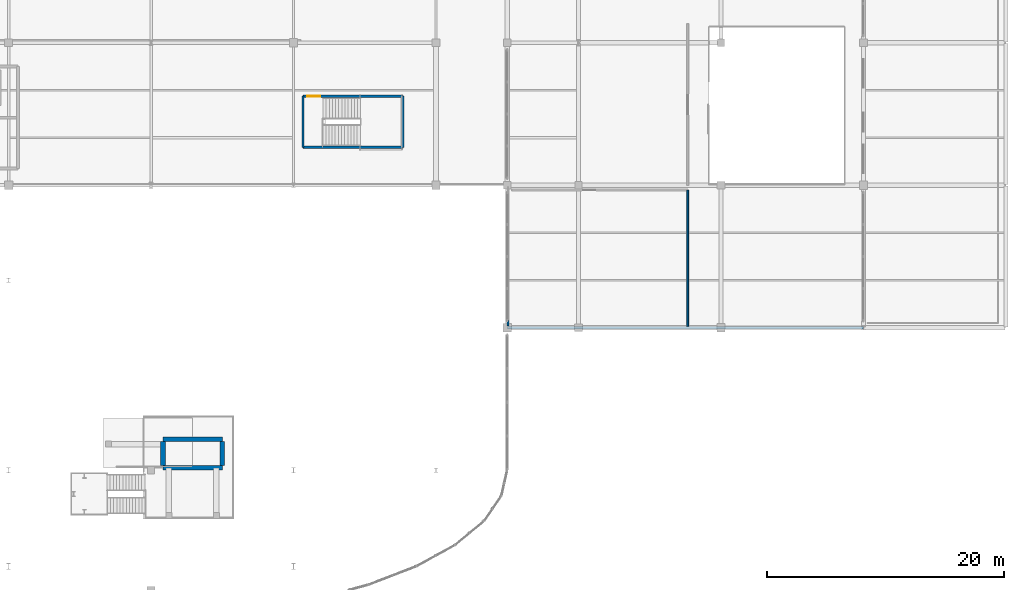
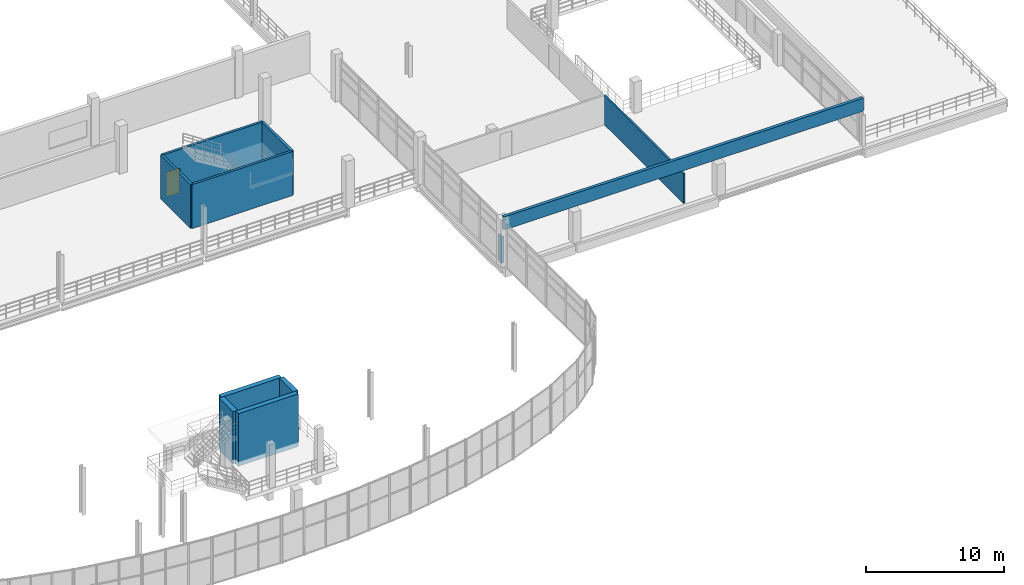
# One storey, part 70 of 89: 11 walls, 1 door, 1 opening.
"""IFC4 building model written with IfcOpenShell, lengths in metres."""

from ifc_helpers import new_model, si_unit, direction, frame, frame_2d, origin, place, context, subcontext, project, spatial, rectangle, extrude, material, layer, layer_set, type_object, element, fill, save


model = new_model("IFC4")

# Units and contexts
model_context = context("Model", 3, precision=1e-05, world=origin(), true_north=direction((0.0, 1.0)))
body_context = subcontext(model_context, "Body", "Model", "MODEL_VIEW")
ifc_project = project(units=[si_unit("LENGTHUNIT", "METRE"), si_unit("AREAUNIT", "SQUARE_METRE"), si_unit("VOLUMEUNIT", "CUBIC_METRE"), si_unit("PLANEANGLEUNIT", "RADIAN"), si_unit("MASSUNIT", "GRAM", prefix="KILO"), si_unit("THERMODYNAMICTEMPERATUREUNIT", "KELVIN"), si_unit("POWERUNIT", "WATT")], contexts=[model_context])

# Site, building, storey
site_placement = place(None, origin())
site = spatial("IfcSite", under=ifc_project, at=site_placement, CompositionType="ELEMENT")
building_placement = place(site_placement, origin())
building = spatial("IfcBuilding", under=site, at=building_placement, Name="Solmara Park Aquatics Centre", CompositionType="ELEMENT")
storey_placement = place(building_placement, frame((0.0, 0.0, 5.39990234375)))
storey = spatial("IfcBuildingStorey", under=building, at=storey_placement, Name="L01", CompositionType="ELEMENT", Elevation=5.39990234375)

# Walls
ifc_material_1 = material(Name="Concrete C25/30 Autoclaved Aerated Fire Blockwork", Category="masonry")
ifc_layer_1 = layer(ifc_material_1, 0.199951171875, Name="Concrete C25/30 Autoclaved Aerated Fire Blockwork")
ifc_layer_set_1 = layer_set([ifc_layer_1], Name="Concrete C25/30 Autoclaved Aerated Fire Blockwork")
wall_type_1 = type_object("IfcWallType", Name="ARC-WL-FIRE200", PredefinedType="SOLIDWALL", material=ifc_layer_set_1)
wall_1_placement = place(storey_placement, frame((162.06005859375, 24.739990234375, 0.0), z_axis=(0.0, 0.0, 1.0), x_axis=(0.0, 1.0, 0.0)))
element("IfcWall", 1, at=wall_1_placement, inside=storey, type_object=wall_type_1, Name="L01 Step-Back Perimeter Spandrel Wall 047", PredefinedType="SOLIDWALL", context=body_context, shape_type="SweptSolid", body=[
    extrude(rectangle(XDim=0.47998046875, YDim=0.199951171875, at=frame_2d((0.239990234375, 0.0))), origin(), (0.0, 0.0, 1.0), 2.31005859375),
])
ifc_material_2 = material(Name="Cement-Rendered Masonry Partition", Category="masonry")
ifc_layer_2 = layer(ifc_material_2, 0.14990234375, Name="Cement-Rendered Masonry Partition")
ifc_layer_set_2 = layer_set([ifc_layer_2], Name="Cement-Rendered Masonry Partition")
wall_type_2 = type_object("IfcWallType", Name="ARC-WL-MAS150", PredefinedType="PARTITIONING", material=ifc_layer_set_2)
wall_2_placement = place(storey_placement, frame((177.199951171875, 24.72509765625, 0.0), z_axis=(0.0, 0.0, 1.0), x_axis=(0.0, 1.0, 0.0)))
element("IfcWall", 2, at=wall_2_placement, inside=storey, type_object=wall_type_2, Name="Interior Partition IW-L01-0088 (L01-EDU-01)", PredefinedType="PARTITIONING", context=body_context, shape_type="SweptSolid", body=[
    extrude(rectangle(XDim=11.474853515625, YDim=0.14990234375, at=frame_2d((5.7373046875, 0.0))), origin(), (0.0, 0.0, 1.0), 2.60009765625),
])
ifc_material_3 = material(Name="Precast Concrete C40/50", Category="concrete")
ifc_layer_3 = layer(ifc_material_3, 0.25, Name="Precast Concrete C40/50")
ifc_layer_set_3 = layer_set([ifc_layer_3], Name="Precast Concrete C40/50")
wall_type_3 = type_object("IfcWallType", Name="ARC-WL-PAR250", PredefinedType="PARAPET", material=ifc_layer_set_3)
wall_3_placement = place(storey_placement, frame((162.0, 24.60009765625, 3.080078125), z_axis=(0.0, 0.0, 1.0), x_axis=(1.0, 0.0, 0.0)))
element("IfcWall", 3, at=wall_3_placement, inside=storey, type_object=wall_type_3, Name="Roof Maintenance Parapet 01", PredefinedType="PARAPET", context=body_context, shape_type="SweptSolid", body=[
    extrude(rectangle(XDim=30.0, YDim=0.25, at=frame_2d((15.0, 0.0))), origin(), (0.0, 0.0, 1.0), 1.14990234375),
])
ifc_material_4 = material(Name="Concrete C40/50", Category="concrete")
ifc_layer_4 = layer(ifc_material_4, 0.39990234375, Name="Concrete C40/50")
ifc_layer_set_4 = layer_set([ifc_layer_4], Name="Concrete C40/50")
wall_type_4 = type_object("IfcWallType", Name="STR-WL-CORE400", PredefinedType="SHEAR", material=ifc_layer_set_4)
for number, where, z_axis, x_axis, name in (
    (4, (133.0, 12.800048828125, -0.39990234375), (0.0, 0.0, 1.0), (1.0, 0.0, 0.0), "Diving Tower Core Wall S L01"),
    (5, (133.0, 15.199951171875, -0.39990234375), (0.0, 0.0, 1.0), (1.0, 0.0, 0.0), "Diving Tower Core Wall N L01"),
):
    element("IfcWall", number, at=place(storey_placement, frame(where, z_axis=z_axis, x_axis=x_axis)), inside=storey, type_object=wall_type_4, Name=name, PredefinedType="SHEAR", context=body_context, shape_type="SweptSolid", body=[
        extrude(rectangle(XDim=5.0, YDim=0.39990234375, at=frame_2d((2.5, 0.0))), origin(), (0.0, 0.0, 1.0), 4.64990234375),
    ])
for number, where, z_axis, x_axis, name in (
    (6, (133.0, 13.0, -0.39990234375), (0.0, 0.0, 1.0), (0.0, 1.0, 0.0), "Diving Tower Core Wall W L01"),
    (7, (138.0, 13.0, -0.39990234375), (0.0, 0.0, 1.0), (0.0, 1.0, 0.0), "Diving Tower Core Wall E L01"),
):
    element("IfcWall", number, at=place(storey_placement, frame(where, z_axis=z_axis, x_axis=x_axis)), inside=storey, type_object=wall_type_4, Name=name, PredefinedType="SHEAR", context=body_context, shape_type="SweptSolid", body=[
        extrude(rectangle(XDim=2.0, YDim=0.39990234375, at=frame_2d((1.0, 0.0))), origin(), (0.0, 0.0, 1.0), 4.64990234375),
    ])
ifc_material_5 = material(Name="Concrete C35/45", Category="concrete")
ifc_layer_5 = layer(ifc_material_5, 0.199951171875, Name="Concrete C35/45")
ifc_layer_set_5 = layer_set([ifc_layer_5], Name="Concrete C35/45")
wall_type_5 = type_object("IfcWallType", Name="STR-WL-STAIR200", PredefinedType="SHEAR", material=ifc_layer_set_5)
wall_4_placement = place(storey_placement, frame((144.800048828125, 39.800048828125, 0.0), z_axis=(0.0, 0.0, 1.0), x_axis=(1.0, 0.0, 0.0)))
element("IfcWall", 8, at=wall_4_placement, inside=storey, type_object=wall_type_5, Name="ST09 Escape Stair Wall S L01", PredefinedType="SHEAR", context=body_context, shape_type="SweptSolid", body=[
    extrude(rectangle(XDim=8.39990234375, YDim=0.199951171875, at=frame_2d((4.199951171875, 0.0))), origin(), (0.0, 0.0, 1.0), 3.880126953125),
])

# Wall, opening, door
wall_5_placement = place(storey_placement, frame((144.800048828125, 44.10009765625, 0.0), z_axis=(0.0, 0.0, 1.0), x_axis=(1.0, 0.0, 0.0)))
wall_5 = element("IfcWall", 9, at=wall_5_placement, inside=storey, type_object=wall_type_5, Name="ST09 Escape Stair Wall N L01", PredefinedType="SHEAR", context=body_context, shape_type="SweptSolid", body=[
    extrude(rectangle(XDim=8.39990234375, YDim=0.199951171875, at=frame_2d((4.199951171875, 0.0))), origin(), (0.0, 0.0, 1.0), 3.880126953125),
])
opening_placement = place(wall_5_placement, frame((0.35009765625, 0.0, 0.0)))
opening = element("IfcOpeningElement", 10, at=opening_placement, cuts=wall_5, Name="Opening D-11", PredefinedType="OPENING", context=body_context, shape_type="SweptSolid", body=[
    extrude(rectangle(XDim=1.10009765625, YDim=2.199951171875, at=frame_2d((0.550048828125, 1.10009765625))), frame((0.0, 0.10986328125, 0.0), z_axis=(0.0, -1.0, 0.0), x_axis=(1.0, 0.0, 0.0)), (0.0, 0.0, 1.0), 0.219970703125),
])
ifc_material_6 = material(Name="Moisture-Resistant HPL & Hardwood", Category="wood")
door_type = type_object("IfcDoorType", Name="ARC-DR-FD110x220", OperationType="NOTDEFINED", PredefinedType="DOOR", material=ifc_material_6)
door_placement = place(opening_placement, frame((1.10009765625, 0.0, 0.0), z_axis=(0.0, 0.0, 1.0), x_axis=(-1.0, 0.0, 0.0)))
door = element("IfcDoor", 11, at=door_placement, inside=storey, type_object=door_type, Name="ST09 Escape Stair Entry Door L01", OperationType="SINGLE_SWING_LEFT", OverallHeight=2.199951171875, OverallWidth=1.10009765625, PredefinedType="DOOR", context=body_context, shape_type="SweptSolid", body=[
    extrude(rectangle(XDim=1.10009765625, YDim=2.199951171875, at=frame_2d((0.550048828125, 1.10009765625))), frame((0.0, 0.02490234375, 0.0), z_axis=(0.0, -1.0, 0.0), x_axis=(1.0, 0.0, 0.0)), (0.0, 0.0, 1.0), 0.050048828125),
])
fill(opening, door)

# Walls
for number, where, z_axis, x_axis, name in (
    (12, (144.800048828125, 39.800048828125, 0.0), (0.0, 0.0, 1.0), (0.0, 1.0, 0.0), "ST09 Escape Stair Wall W L01"),
    (13, (153.199951171875, 39.800048828125, 0.0), (0.0, 0.0, 1.0), (0.0, 1.0, 0.0), "ST09 Escape Stair Wall E L01"),
):
    element("IfcWall", number, at=place(storey_placement, frame(where, z_axis=z_axis, x_axis=x_axis)), inside=storey, type_object=wall_type_5, Name=name, PredefinedType="SHEAR", context=body_context, shape_type="SweptSolid", body=[
        extrude(rectangle(XDim=4.300048828125, YDim=0.199951171875, at=frame_2d((2.14990234375, 0.0))), origin(), (0.0, 0.0, 1.0), 3.880126953125),
    ])

save(model, "model.ifc")
